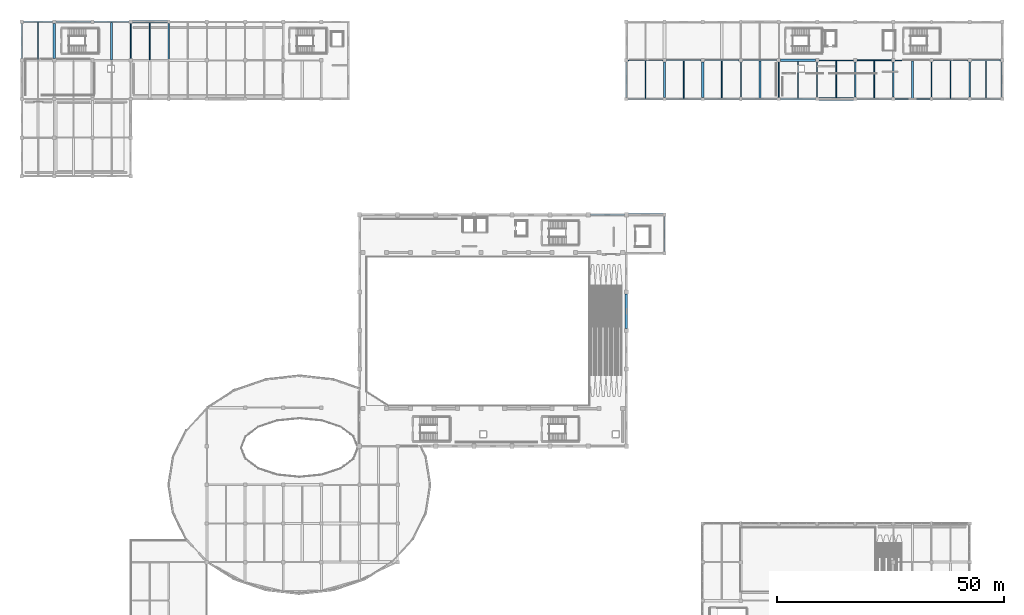
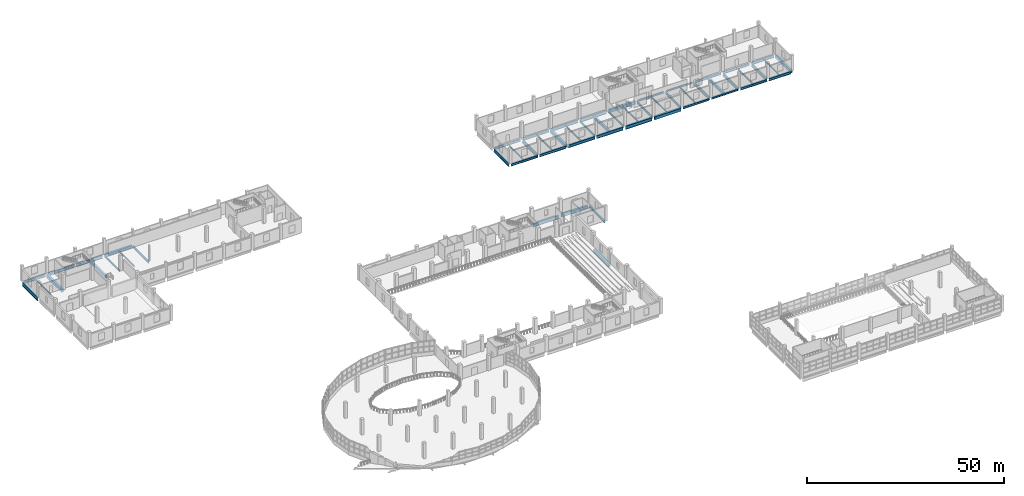
# One storey, part 48 of 77: 56 beams.
"""IFC4 building model written with IfcOpenShell, lengths in metres."""

from ifc_helpers import new_model, si_unit, direction, frame, origin, origin_2d, place, context, subcontext, project, spatial, rectangle, i_section, extrude, material, material_profile, profile_set, type_object, element, save


model = new_model("IFC4")

# Units and contexts
model_context = context("Model", 3, precision=1e-05, world=origin(), true_north=direction((0.0, 1.0)))
body_context = subcontext(model_context, "Body", "Model", "MODEL_VIEW")
ifc_project = project(units=[si_unit("LENGTHUNIT", "METRE"), si_unit("AREAUNIT", "SQUARE_METRE"), si_unit("VOLUMEUNIT", "CUBIC_METRE"), si_unit("PLANEANGLEUNIT", "RADIAN"), si_unit("MASSUNIT", "GRAM", prefix="KILO")], contexts=[model_context])

# Site, building, storey
site_placement = place(None, origin())
site = spatial("IfcSite", under=ifc_project, at=site_placement, CompositionType="ELEMENT")
building_placement = place(site_placement, origin())
building = spatial("IfcBuilding", under=site, at=building_placement, Name="Solvento Point Concert Hall", CompositionType="ELEMENT")
storey_placement = place(building_placement, frame((0.0, 0.0, 10.199951171875)))
storey = spatial("IfcBuildingStorey", under=building, at=storey_placement, Name="L02", CompositionType="ELEMENT", Elevation=10.199951171875)

# Beams
ifc_material_1 = material(Name="Concrete C35/45", Category="concrete")
ifc_material_profile_1 = material_profile(ifc_material_1, rectangle(XDim=0.47998046875, YDim=0.780029296875, at=origin_2d()), Name="RC-BM-480X780")
ifc_profile_set_1 = profile_set([ifc_material_profile_1], Name="Concrete C35/45")
beam_type_1 = type_object("IfcBeamType", Name="Beam_RC_480x780", PredefinedType="BEAM", material=ifc_profile_set_1)
for number, where, z_axis, x_axis, name in (
    (1, (19.800048828125, 127.638916015625, -0.6640625), (0.0, 1.0, 0.0), (-1.0, 0.0, 0.0), "Secondary floor joist B-74 L02"),
    (2, (162.60009765625, 119.138916015625, -0.6640625), (0.0, 1.0, 0.0), (-1.0, 0.0, 0.0), "Secondary floor joist B-74 L02"),
):
    element("IfcBeam", number, at=place(storey_placement, frame(where, z_axis=z_axis, x_axis=x_axis)), inside=storey, type_object=beam_type_1, Name=name, PredefinedType="BEAM", context=body_context, shape_type="SweptSolid", body=[
        extrude(rectangle(XDim=0.47998046875, YDim=0.780029296875, at=origin_2d()), origin(), (0.0, 0.0, 1.0), 8.195556640625),
    ])
beam_1_placement = place(storey_placement, frame((196.199951171875, 119.092041015625, -0.6640625), z_axis=(0.0, 1.0, 0.0), x_axis=(-1.0, 0.0, 0.0)))
element("IfcBeam", 3, at=beam_1_placement, inside=storey, type_object=beam_type_1, Name="Secondary floor joist B-74 L02", PredefinedType="BEAM", context=body_context, shape_type="SweptSolid", body=[
    extrude(rectangle(XDim=0.47998046875, YDim=0.780029296875, at=origin_2d()), origin(), (0.0, 0.0, 1.0), 8.294921875),
])
ifc_material_2 = material(Name="Structural Steel ASTM A992 Grade 50", Category="steel")
ifc_material_profile_2 = material_profile(ifc_material_2, i_section(OverallWidth=0.20947265625, OverallDepth=0.532958984375, WebThickness=0.01025390625, FlangeThickness=0.015625, at=origin_2d()), Name="W21X62")
ifc_profile_set_2 = profile_set([ifc_material_profile_2], Name="Structural Steel ASTM A992 Grade 50")
beam_type_2 = type_object("IfcBeamType", Name="Beam_W21X62", PredefinedType="BEAM", material=ifc_profile_set_2)
beam_2_placement = place(storey_placement, frame((154.199951171875, 119.131103515625, -0.54052734375), z_axis=(0.0, 1.0, 0.0), x_axis=(-1.0, 0.0, 0.0)))
element("IfcBeam", 4, at=beam_2_placement, inside=storey, type_object=beam_type_2, Name="Secondary floor joist B-25 L02", PredefinedType="BEAM", context=body_context, shape_type="SweptSolid", body=[
    extrude(i_section(OverallWidth=0.20947265625, OverallDepth=0.532958984375, WebThickness=0.01025390625, FlangeThickness=0.015625, at=origin_2d()), origin(), (0.0, 0.0, 1.0), 8.22998046875),
])
beam_3_placement = place(storey_placement, frame((187.800048828125, 119.09912109375, -0.54052734375), z_axis=(0.0, 1.0, 0.0), x_axis=(-1.0, 0.0, 0.0)))
element("IfcBeam", 5, at=beam_3_placement, inside=storey, type_object=beam_type_2, Name="Secondary floor joist B-25 L02", PredefinedType="BEAM", context=body_context, shape_type="SweptSolid", body=[
    extrude(i_section(OverallWidth=0.20947265625, OverallDepth=0.532958984375, WebThickness=0.01025390625, FlangeThickness=0.015625, at=origin_2d()), origin(), (0.0, 0.0, 1.0), 8.308837890625),
])
ifc_material_3 = material(Name="Structural Steel ASTM A992 Grade 50", Category="steel")
ifc_material_profile_3 = material_profile(ifc_material_3, i_section(OverallWidth=0.214111328125, OverallDepth=0.549072265625, WebThickness=0.0146484375, FlangeThickness=0.023681640625, at=origin_2d()), Name="W21X93")
ifc_profile_set_3 = profile_set([ifc_material_profile_3], Name="Structural Steel ASTM A992 Grade 50")
beam_type_3 = type_object("IfcBeamType", Name="Beam_W21X93", PredefinedType="BEAM", material=ifc_profile_set_3)
for number, where, z_axis, x_axis, name in (
    (6, (192.384033203125, 119.0, -0.54833984375), (1.0, 0.0, 0.0), (0.0, 1.0, 0.0), "Primary girder B-48 L02"),
    (7, (183.98388671875, 127.5, -0.54833984375), (1.0, 0.0, 0.0), (0.0, 1.0, 0.0), "Primary girder B-48 L02"),
):
    element("IfcBeam", number, at=place(storey_placement, frame(where, z_axis=z_axis, x_axis=x_axis)), inside=storey, type_object=beam_type_3, Name=name, PredefinedType="BEAM", context=body_context, shape_type="SweptSolid", body=[
        extrude(i_section(OverallWidth=0.214111328125, OverallDepth=0.549072265625, WebThickness=0.0146484375, FlangeThickness=0.023681640625, at=origin_2d()), origin(), (0.0, 0.0, 1.0), 7.632080078125),
    ])
beam_4_placement = place(storey_placement, frame((24.0, 127.868896484375, -0.54833984375), z_axis=(0.0, 1.0, 0.0), x_axis=(-1.0, 0.0, 0.0)))
element("IfcBeam", 8, at=beam_4_placement, inside=storey, type_object=beam_type_3, Name="Primary girder B-48 L02", PredefinedType="BEAM", context=body_context, shape_type="SweptSolid", body=[
    extrude(i_section(OverallWidth=0.214111328125, OverallDepth=0.549072265625, WebThickness=0.0146484375, FlangeThickness=0.023681640625, at=origin_2d()), origin(), (0.0, 0.0, 1.0), 7.76220703125),
])
beam_5_placement = place(storey_placement, frame((166.800048828125, 119.384033203125, -0.54833984375), z_axis=(0.0, 1.0, 0.0), x_axis=(-1.0, 0.0, 0.0)))
element("IfcBeam", 9, at=beam_5_placement, inside=storey, type_object=beam_type_3, Name="Primary girder B-48 L02", PredefinedType="BEAM", context=body_context, shape_type="SweptSolid", body=[
    extrude(i_section(OverallWidth=0.214111328125, OverallDepth=0.549072265625, WebThickness=0.0146484375, FlangeThickness=0.023681640625, at=origin_2d()), origin(), (0.0, 0.0, 1.0), 7.73193359375),
])
ifc_material_4 = material(Name="Structural Steel ASTM A992 Grade 50", Category="steel")
ifc_material_profile_4 = material_profile(ifc_material_4, i_section(OverallWidth=0.228515625, OverallDepth=0.60791015625, WebThickness=0.01123046875, FlangeThickness=0.017333984375, at=origin_2d()), Name="W24X76")
ifc_profile_set_4 = profile_set([ifc_material_profile_4], Name="Structural Steel ASTM A992 Grade 50")
beam_type_4 = type_object("IfcBeamType", Name="Beam_W24X76", PredefinedType="BEAM", material=ifc_profile_set_4)
for number, where, z_axis, x_axis, name in (
    (10, (183.98388671875, 119.0, -0.577880859375), (1.0, 0.0, 0.0), (0.0, 1.0, 0.0), "Primary girder B-42 L02"),
    (11, (175.583984375, 127.5, -0.577880859375), (1.0, 0.0, 0.0), (0.0, 1.0, 0.0), "Primary girder B-42 L02"),
):
    element("IfcBeam", number, at=place(storey_placement, frame(where, z_axis=z_axis, x_axis=x_axis)), inside=storey, type_object=beam_type_4, Name=name, PredefinedType="BEAM", context=body_context, shape_type="SweptSolid", body=[
        extrude(i_section(OverallWidth=0.228515625, OverallDepth=0.60791015625, WebThickness=0.01123046875, FlangeThickness=0.017333984375, at=origin_2d()), origin(), (0.0, 0.0, 1.0), 7.632080078125),
    ])
beam_6_placement = place(storey_placement, frame((158.39990234375, 119.39404296875, -0.577880859375), z_axis=(0.0, 1.0, 0.0), x_axis=(-1.0, 0.0, 0.0)))
element("IfcBeam", 12, at=beam_6_placement, inside=storey, type_object=beam_type_4, Name="Primary girder B-42 L02", PredefinedType="BEAM", context=body_context, shape_type="SweptSolid", body=[
    extrude(i_section(OverallWidth=0.228515625, OverallDepth=0.60791015625, WebThickness=0.01123046875, FlangeThickness=0.017333984375, at=origin_2d()), origin(), (0.0, 0.0, 1.0), 7.737060546875),
])
ifc_material_5 = material(Name="Concrete C35/45", Category="concrete")
ifc_material_profile_5 = material_profile(ifc_material_5, rectangle(XDim=0.580078125, YDim=0.919921875, at=origin_2d()), Name="RC-BM-580X920")
ifc_profile_set_5 = profile_set([ifc_material_profile_5], Name="Concrete C35/45")
beam_type_5 = type_object("IfcBeamType", Name="Girder_RC_580x920", PredefinedType="USERDEFINED", material=ifc_profile_set_5)
beam_7_placement = place(storey_placement, frame((133.64404296875, 93.5, -0.73388671875), z_axis=(1.0, 0.0, 0.0), x_axis=(0.0, 1.0, 0.0)))
element("IfcBeam", 13, at=beam_7_placement, inside=storey, type_object=beam_type_5, Name="Primary girder B-95 L02", ObjectType="GIRDER", PredefinedType="USERDEFINED", context=body_context, shape_type="SweptSolid", body=[
    extrude(rectangle(XDim=0.580078125, YDim=0.919921875, at=origin_2d()), origin(), (0.0, 0.0, 1.0), 7.5869140625),
])
beam_8_placement = place(storey_placement, frame((175.583984375, 119.0, -0.73388671875), z_axis=(1.0, 0.0, 0.0), x_axis=(0.0, 1.0, 0.0)))
element("IfcBeam", 14, at=beam_8_placement, inside=storey, type_object=beam_type_5, Name="Primary girder B-95 L02", ObjectType="GIRDER", PredefinedType="USERDEFINED", context=body_context, shape_type="SweptSolid", body=[
    extrude(rectangle(XDim=0.580078125, YDim=0.919921875, at=origin_2d()), origin(), (0.0, 0.0, 1.0), 7.632080078125),
])
beam_9_placement = place(storey_placement, frame((167.18408203125, 127.5, -0.73388671875), z_axis=(1.0, 0.0, 0.0), x_axis=(0.0, 1.0, 0.0)))
element("IfcBeam", 15, at=beam_9_placement, inside=storey, type_object=beam_type_5, Name="Primary girder B-95 L02", ObjectType="GIRDER", PredefinedType="USERDEFINED", context=body_context, shape_type="SweptSolid", body=[
    extrude(rectangle(XDim=0.580078125, YDim=0.919921875, at=origin_2d()), origin(), (0.0, 0.0, 1.0), 7.6318359375),
])
beam_10_placement = place(storey_placement, frame((24.368896484375, 136.0, -0.73388671875), z_axis=(1.0, 0.0, 0.0), x_axis=(0.0, 1.0, 0.0)))
element("IfcBeam", 16, at=beam_10_placement, inside=storey, type_object=beam_type_5, Name="Primary girder B-95 L02", ObjectType="GIRDER", PredefinedType="USERDEFINED", context=body_context, shape_type="SweptSolid", body=[
    extrude(rectangle(XDim=0.580078125, YDim=0.919921875, at=origin_2d()), origin(), (0.0, 0.0, 1.0), 7.787109375),
])
beam_11_placement = place(storey_placement, frame((7.199951171875, 127.868896484375, -0.73388671875), z_axis=(0.0, 1.0, 0.0), x_axis=(-1.0, 0.0, 0.0)))
element("IfcBeam", 17, at=beam_11_placement, inside=storey, type_object=beam_type_5, Name="Primary girder B-95 L02", ObjectType="GIRDER", PredefinedType="USERDEFINED", context=body_context, shape_type="SweptSolid", body=[
    extrude(rectangle(XDim=0.580078125, YDim=0.919921875, at=origin_2d()), origin(), (0.0, 0.0, 1.0), 7.76220703125),
])
beam_12_placement = place(storey_placement, frame((133.199951171875, 68.444091796875, -0.904052734375), z_axis=(0.0, 1.0, 0.0), x_axis=(-1.0, 0.0, 0.0)))
element("IfcBeam", 18, at=beam_12_placement, inside=storey, type_object=beam_type_5, Name="Primary girder B-95 L02", ObjectType="GIRDER", PredefinedType="USERDEFINED", context=body_context, shape_type="SweptSolid", body=[
    extrude(rectangle(XDim=0.580078125, YDim=0.919921875, at=origin_2d()), origin(), (0.0, 0.0, 1.0), 7.61181640625),
])
beam_13_placement = place(storey_placement, frame((150.0, 119.368896484375, -0.73388671875), z_axis=(0.0, 1.0, 0.0), x_axis=(-1.0, 0.0, 0.0)))
element("IfcBeam", 19, at=beam_13_placement, inside=storey, type_object=beam_type_5, Name="Primary girder B-95 L02", ObjectType="GIRDER", PredefinedType="USERDEFINED", context=body_context, shape_type="SweptSolid", body=[
    extrude(rectangle(XDim=0.580078125, YDim=0.919921875, at=origin_2d()), origin(), (0.0, 0.0, 1.0), 7.76220703125),
])
beam_14_placement = place(storey_placement, frame((216.0, 119.384033203125, -0.73388671875), z_axis=(0.0, 1.0, 0.0), x_axis=(-1.0, 0.0, 0.0)))
element("IfcBeam", 20, at=beam_14_placement, inside=storey, type_object=beam_type_5, Name="Primary girder B-95 L02", ObjectType="GIRDER", PredefinedType="USERDEFINED", context=body_context, shape_type="SweptSolid", body=[
    extrude(rectangle(XDim=0.580078125, YDim=0.919921875, at=origin_2d()), origin(), (0.0, 0.0, 1.0), 7.73193359375),
])
ifc_material_6 = material(Name="Structural Steel ASTM A992 Grade 50", Category="steel")
ifc_material_profile_6 = material_profile(ifc_material_6, i_section(OverallWidth=0.256103515625, OverallDepth=0.693115234375, WebThickness=0.014404296875, FlangeThickness=0.023681640625, at=origin_2d()), Name="W27X114")
ifc_profile_set_6 = profile_set([ifc_material_profile_6], Name="Structural Steel ASTM A992 Grade 50")
beam_type_6 = type_object("IfcBeamType", Name="Girder_W27X114", PredefinedType="USERDEFINED", material=ifc_profile_set_6)
beam_15_placement = place(storey_placement, frame((133.569091796875, 119.0, -0.620361328125), z_axis=(1.0, 0.0, 0.0), x_axis=(0.0, 1.0, 0.0)))
element("IfcBeam", 21, at=beam_15_placement, inside=storey, type_object=beam_type_6, Name="Primary girder B-23 L02", ObjectType="GIRDER", PredefinedType="USERDEFINED", context=body_context, shape_type="SweptSolid", body=[
    extrude(i_section(OverallWidth=0.256103515625, OverallDepth=0.693115234375, WebThickness=0.014404296875, FlangeThickness=0.023681640625, at=origin_2d()), origin(), (0.0, 0.0, 1.0), 7.661865234375),
])
for number, where, z_axis, x_axis, name in (
    (22, (200.783935546875, 119.0, -0.620361328125), (1.0, 0.0, 0.0), (0.0, 1.0, 0.0), "Primary girder B-23 L02"),
    (23, (192.384033203125, 127.5, -0.620361328125), (1.0, 0.0, 0.0), (0.0, 1.0, 0.0), "Primary girder B-23 L02"),
):
    element("IfcBeam", number, at=place(storey_placement, frame(where, z_axis=z_axis, x_axis=x_axis)), inside=storey, type_object=beam_type_6, Name=name, ObjectType="GIRDER", PredefinedType="USERDEFINED", context=body_context, shape_type="SweptSolid", body=[
        extrude(i_section(OverallWidth=0.256103515625, OverallDepth=0.693115234375, WebThickness=0.014404296875, FlangeThickness=0.023681640625, at=origin_2d()), origin(), (0.0, 0.0, 1.0), 7.632080078125),
    ])
beam_16_placement = place(storey_placement, frame((32.39990234375, 127.7255859375, -0.620361328125), z_axis=(0.0, 1.0, 0.0), x_axis=(-1.0, 0.0, 0.0)))
element("IfcBeam", 24, at=beam_16_placement, inside=storey, type_object=beam_type_6, Name="Primary girder B-23 L02", ObjectType="GIRDER", PredefinedType="USERDEFINED", context=body_context, shape_type="SweptSolid", body=[
    extrude(i_section(OverallWidth=0.256103515625, OverallDepth=0.693115234375, WebThickness=0.014404296875, FlangeThickness=0.023681640625, at=origin_2d()), origin(), (0.0, 0.0, 1.0), 7.88037109375),
])
beam_17_placement = place(storey_placement, frame((141.60009765625, 85.368896484375, -0.620361328125), z_axis=(0.0, 1.0, 0.0), x_axis=(-1.0, 0.0, 0.0)))
element("IfcBeam", 25, at=beam_17_placement, inside=storey, type_object=beam_type_6, Name="Primary girder B-23 L02", ObjectType="GIRDER", PredefinedType="USERDEFINED", context=body_context, shape_type="SweptSolid", body=[
    extrude(i_section(OverallWidth=0.256103515625, OverallDepth=0.693115234375, WebThickness=0.014404296875, FlangeThickness=0.023681640625, at=origin_2d()), origin(), (0.0, 0.0, 1.0), 7.76220703125),
])
beam_18_placement = place(storey_placement, frame((175.199951171875, 119.384033203125, -0.620361328125), z_axis=(0.0, 1.0, 0.0), x_axis=(-1.0, 0.0, 0.0)))
element("IfcBeam", 26, at=beam_18_placement, inside=storey, type_object=beam_type_6, Name="Primary girder B-23 L02", ObjectType="GIRDER", PredefinedType="USERDEFINED", context=body_context, shape_type="SweptSolid", body=[
    extrude(i_section(OverallWidth=0.256103515625, OverallDepth=0.693115234375, WebThickness=0.014404296875, FlangeThickness=0.023681640625, at=origin_2d()), origin(), (0.0, 0.0, 1.0), 7.73193359375),
])
ifc_material_7 = material(Name="Structural Steel ASTM A992 Grade 50", Category="steel")
ifc_material_profile_7 = material_profile(ifc_material_7, i_section(OverallWidth=0.26806640625, OverallDepth=0.77001953125, WebThickness=0.015625, FlangeThickness=0.025390625, at=origin_2d()), Name="W30X132")
ifc_profile_set_7 = profile_set([ifc_material_profile_7], Name="Structural Steel ASTM A992 Grade 50")
beam_type_7 = type_object("IfcBeamType", Name="Girder_W30X132", PredefinedType="USERDEFINED", material=ifc_profile_set_7)
beam_19_placement = place(storey_placement, frame((141.968994140625, 119.0, -0.658935546875), z_axis=(1.0, 0.0, 0.0), x_axis=(0.0, 1.0, 0.0)))
element("IfcBeam", 27, at=beam_19_placement, inside=storey, type_object=beam_type_7, Name="Primary girder B-68 L02", ObjectType="GIRDER", PredefinedType="USERDEFINED", context=body_context, shape_type="SweptSolid", body=[
    extrude(i_section(OverallWidth=0.26806640625, OverallDepth=0.77001953125, WebThickness=0.015625, FlangeThickness=0.025390625, at=origin_2d()), origin(), (0.0, 0.0, 1.0), 7.662109375),
])
beam_20_placement = place(storey_placement, frame((209.18408203125, 119.0, -0.658935546875), z_axis=(1.0, 0.0, 0.0), x_axis=(0.0, 1.0, 0.0)))
element("IfcBeam", 28, at=beam_20_placement, inside=storey, type_object=beam_type_7, Name="Primary girder B-68 L02", ObjectType="GIRDER", PredefinedType="USERDEFINED", context=body_context, shape_type="SweptSolid", body=[
    extrude(i_section(OverallWidth=0.26806640625, OverallDepth=0.77001953125, WebThickness=0.015625, FlangeThickness=0.025390625, at=origin_2d()), origin(), (0.0, 0.0, 1.0), 6.431884765625),
])
beam_21_placement = place(storey_placement, frame((133.569091796875, 127.5, -0.658935546875), z_axis=(1.0, 0.0, 0.0), x_axis=(0.0, 1.0, 0.0)))
element("IfcBeam", 29, at=beam_21_placement, inside=storey, type_object=beam_type_7, Name="Primary girder B-68 L02", ObjectType="GIRDER", PredefinedType="USERDEFINED", context=body_context, shape_type="SweptSolid", body=[
    extrude(i_section(OverallWidth=0.26806640625, OverallDepth=0.77001953125, WebThickness=0.015625, FlangeThickness=0.025390625, at=origin_2d()), origin(), (0.0, 0.0, 1.0), 7.661865234375),
])
beam_22_placement = place(storey_placement, frame((200.783935546875, 127.5, -0.658935546875), z_axis=(1.0, 0.0, 0.0), x_axis=(0.0, 1.0, 0.0)))
element("IfcBeam", 30, at=beam_22_placement, inside=storey, type_object=beam_type_7, Name="Primary girder B-68 L02", ObjectType="GIRDER", PredefinedType="USERDEFINED", context=body_context, shape_type="SweptSolid", body=[
    extrude(i_section(OverallWidth=0.26806640625, OverallDepth=0.77001953125, WebThickness=0.015625, FlangeThickness=0.025390625, at=origin_2d()), origin(), (0.0, 0.0, 1.0), 7.632080078125),
])
beam_23_placement = place(storey_placement, frame((183.60009765625, 119.384033203125, -0.658935546875), z_axis=(0.0, 1.0, 0.0), x_axis=(-1.0, 0.0, 0.0)))
element("IfcBeam", 31, at=beam_23_placement, inside=storey, type_object=beam_type_7, Name="Primary girder B-68 L02", ObjectType="GIRDER", PredefinedType="USERDEFINED", context=body_context, shape_type="SweptSolid", body=[
    extrude(i_section(OverallWidth=0.26806640625, OverallDepth=0.77001953125, WebThickness=0.015625, FlangeThickness=0.025390625, at=origin_2d()), origin(), (0.0, 0.0, 1.0), 7.73193359375),
])
ifc_material_8 = material(Name="Structural Steel ASTM A992 Grade 50", Category="steel")
ifc_material_profile_8 = material_profile(ifc_material_8, i_section(OverallWidth=0.2919921875, OverallDepth=0.85888671875, WebThickness=0.01708984375, FlangeThickness=0.031005859375, at=origin_2d()), Name="W33X169")
ifc_profile_set_8 = profile_set([ifc_material_profile_8], Name="Structural Steel ASTM A992 Grade 50")
beam_type_8 = type_object("IfcBeamType", Name="Girder_W33X169", PredefinedType="USERDEFINED", material=ifc_profile_set_8)
beam_24_placement = place(storey_placement, frame((150.368896484375, 119.0, -0.703369140625), z_axis=(1.0, 0.0, 0.0), x_axis=(0.0, 1.0, 0.0)))
element("IfcBeam", 32, at=beam_24_placement, inside=storey, type_object=beam_type_8, Name="Primary girder B-33 L02", ObjectType="GIRDER", PredefinedType="USERDEFINED", context=body_context, shape_type="SweptSolid", body=[
    extrude(i_section(OverallWidth=0.2919921875, OverallDepth=0.85888671875, WebThickness=0.01708984375, FlangeThickness=0.031005859375, at=origin_2d()), origin(), (0.0, 0.0, 1.0), 7.787109375),
])
beam_25_placement = place(storey_placement, frame((141.968994140625, 127.5, -0.703369140625), z_axis=(1.0, 0.0, 0.0), x_axis=(0.0, 1.0, 0.0)))
element("IfcBeam", 33, at=beam_25_placement, inside=storey, type_object=beam_type_8, Name="Primary girder B-33 L02", ObjectType="GIRDER", PredefinedType="USERDEFINED", context=body_context, shape_type="SweptSolid", body=[
    extrude(i_section(OverallWidth=0.2919921875, OverallDepth=0.85888671875, WebThickness=0.01708984375, FlangeThickness=0.031005859375, at=origin_2d()), origin(), (0.0, 0.0, 1.0), 7.662109375),
])
beam_26_placement = place(storey_placement, frame((209.18408203125, 127.5, -0.703369140625), z_axis=(1.0, 0.0, 0.0), x_axis=(0.0, 1.0, 0.0)))
element("IfcBeam", 34, at=beam_26_placement, inside=storey, type_object=beam_type_8, Name="Primary girder B-33 L02", ObjectType="GIRDER", PredefinedType="USERDEFINED", context=body_context, shape_type="SweptSolid", body=[
    extrude(i_section(OverallWidth=0.2919921875, OverallDepth=0.85888671875, WebThickness=0.01708984375, FlangeThickness=0.031005859375, at=origin_2d()), origin(), (0.0, 0.0, 1.0), 6.431884765625),
])
beam_27_placement = place(storey_placement, frame((0.368896484375, 136.0, -0.703369140625), z_axis=(1.0, 0.0, 0.0), x_axis=(0.0, 1.0, 0.0)))
element("IfcBeam", 35, at=beam_27_placement, inside=storey, type_object=beam_type_8, Name="Primary girder B-33 L02", ObjectType="GIRDER", PredefinedType="USERDEFINED", context=body_context, shape_type="SweptSolid", body=[
    extrude(i_section(OverallWidth=0.2919921875, OverallDepth=0.85888671875, WebThickness=0.01708984375, FlangeThickness=0.031005859375, at=origin_2d()), origin(), (0.0, 0.0, 1.0), 6.462158203125),
])
beam_28_placement = place(storey_placement, frame((192.0, 119.384033203125, -0.703369140625), z_axis=(0.0, 1.0, 0.0), x_axis=(-1.0, 0.0, 0.0)))
element("IfcBeam", 36, at=beam_28_placement, inside=storey, type_object=beam_type_8, Name="Primary girder B-33 L02", ObjectType="GIRDER", PredefinedType="USERDEFINED", context=body_context, shape_type="SweptSolid", body=[
    extrude(i_section(OverallWidth=0.2919921875, OverallDepth=0.85888671875, WebThickness=0.01708984375, FlangeThickness=0.031005859375, at=origin_2d()), origin(), (0.0, 0.0, 1.0), 7.73193359375),
])
ifc_material_9 = material(Name="Structural Steel ASTM A992 Grade 50", Category="steel")
ifc_material_profile_9 = material_profile(ifc_material_9, i_section(OverallWidth=0.3076171875, OverallDepth=0.927001953125, WebThickness=0.019287109375, FlangeThickness=0.031982421875, at=origin_2d()), Name="W36X194")
ifc_profile_set_9 = profile_set([ifc_material_profile_9], Name="Structural Steel ASTM A992 Grade 50")
beam_type_9 = type_object("IfcBeamType", Name="Girder_W36X194", PredefinedType="USERDEFINED", material=ifc_profile_set_9)
beam_29_placement = place(storey_placement, frame((158.64404296875, 119.0, -0.737548828125), z_axis=(1.0, 0.0, 0.0), x_axis=(0.0, 1.0, 0.0)))
element("IfcBeam", 37, at=beam_29_placement, inside=storey, type_object=beam_type_9, Name="Primary girder B-61 L02", ObjectType="GIRDER", PredefinedType="USERDEFINED", context=body_context, shape_type="SweptSolid", body=[
    extrude(i_section(OverallWidth=0.3076171875, OverallDepth=0.927001953125, WebThickness=0.019287109375, FlangeThickness=0.031982421875, at=origin_2d()), origin(), (0.0, 0.0, 1.0), 7.77197265625),
])
beam_30_placement = place(storey_placement, frame((150.368896484375, 127.5, -0.737548828125), z_axis=(1.0, 0.0, 0.0), x_axis=(0.0, 1.0, 0.0)))
element("IfcBeam", 38, at=beam_30_placement, inside=storey, type_object=beam_type_9, Name="Primary girder B-61 L02", ObjectType="GIRDER", PredefinedType="USERDEFINED", context=body_context, shape_type="SweptSolid", body=[
    extrude(i_section(OverallWidth=0.3076171875, OverallDepth=0.927001953125, WebThickness=0.019287109375, FlangeThickness=0.031982421875, at=origin_2d()), origin(), (0.0, 0.0, 1.0), 7.662109375),
])
beam_31_placement = place(storey_placement, frame((7.569091796875, 136.0, -0.737548828125), z_axis=(1.0, 0.0, 0.0), x_axis=(0.0, 1.0, 0.0)))
element("IfcBeam", 39, at=beam_31_placement, inside=storey, type_object=beam_type_9, Name="Primary girder B-61 L02", ObjectType="GIRDER", PredefinedType="USERDEFINED", context=body_context, shape_type="SweptSolid", body=[
    extrude(i_section(OverallWidth=0.3076171875, OverallDepth=0.927001953125, WebThickness=0.019287109375, FlangeThickness=0.031982421875, at=origin_2d()), origin(), (0.0, 0.0, 1.0), 7.661865234375),
])
beam_32_placement = place(storey_placement, frame((133.199951171875, 119.368896484375, -0.737548828125), z_axis=(0.0, 1.0, 0.0), x_axis=(-1.0, 0.0, 0.0)))
element("IfcBeam", 40, at=beam_32_placement, inside=storey, type_object=beam_type_9, Name="Primary girder B-61 L02", ObjectType="GIRDER", PredefinedType="USERDEFINED", context=body_context, shape_type="SweptSolid", body=[
    extrude(i_section(OverallWidth=0.3076171875, OverallDepth=0.927001953125, WebThickness=0.019287109375, FlangeThickness=0.031982421875, at=origin_2d()), origin(), (0.0, 0.0, 1.0), 7.76220703125),
])
beam_33_placement = place(storey_placement, frame((200.39990234375, 119.384033203125, -0.737548828125), z_axis=(0.0, 1.0, 0.0), x_axis=(-1.0, 0.0, 0.0)))
element("IfcBeam", 41, at=beam_33_placement, inside=storey, type_object=beam_type_9, Name="Primary girder B-61 L02", ObjectType="GIRDER", PredefinedType="USERDEFINED", context=body_context, shape_type="SweptSolid", body=[
    extrude(i_section(OverallWidth=0.3076171875, OverallDepth=0.927001953125, WebThickness=0.019287109375, FlangeThickness=0.031982421875, at=origin_2d()), origin(), (0.0, 0.0, 1.0), 7.73193359375),
])
ifc_material_10 = material(Name="Structural Steel ASTM A992 Grade 50", Category="steel")
ifc_material_profile_10 = material_profile(ifc_material_10, i_section(OverallWidth=0.361083984375, OverallDepth=1.02587890625, WebThickness=0.01904296875, FlangeThickness=0.0361328125, at=origin_2d()), Name="W40X249")
ifc_profile_set_10 = profile_set([ifc_material_profile_10], Name="Structural Steel ASTM A992 Grade 50")
beam_type_10 = type_object("IfcBeamType", Name="Girder_W40X249", PredefinedType="USERDEFINED", material=ifc_profile_set_10)
beam_34_placement = place(storey_placement, frame((125.243896484375, 93.5, -0.95703125), z_axis=(1.0, 0.0, 0.0), x_axis=(0.0, 1.0, 0.0)))
element("IfcBeam", 42, at=beam_34_placement, inside=storey, type_object=beam_type_10, Name="Primary girder B-29 L02", ObjectType="GIRDER", PredefinedType="USERDEFINED", context=body_context, shape_type="SweptSolid", body=[
    extrude(i_section(OverallWidth=0.361083984375, OverallDepth=1.02587890625, WebThickness=0.01904296875, FlangeThickness=0.0361328125, at=origin_2d()), origin(), (0.0, 0.0, 1.0), 7.51220703125),
])
beam_35_placement = place(storey_placement, frame((167.18408203125, 119.0, -0.786865234375), z_axis=(1.0, 0.0, 0.0), x_axis=(0.0, 1.0, 0.0)))
element("IfcBeam", 43, at=beam_35_placement, inside=storey, type_object=beam_type_10, Name="Primary girder B-29 L02", ObjectType="GIRDER", PredefinedType="USERDEFINED", context=body_context, shape_type="SweptSolid", body=[
    extrude(i_section(OverallWidth=0.361083984375, OverallDepth=1.02587890625, WebThickness=0.01904296875, FlangeThickness=0.0361328125, at=origin_2d()), origin(), (0.0, 0.0, 1.0), 7.6318359375),
])
beam_36_placement = place(storey_placement, frame((158.76904296875, 127.5, -0.786865234375), z_axis=(1.0, 0.0, 0.0), x_axis=(0.0, 1.0, 0.0)))
element("IfcBeam", 44, at=beam_36_placement, inside=storey, type_object=beam_type_10, Name="Primary girder B-29 L02", ObjectType="GIRDER", PredefinedType="USERDEFINED", context=body_context, shape_type="SweptSolid", body=[
    extrude(i_section(OverallWidth=0.361083984375, OverallDepth=1.02587890625, WebThickness=0.01904296875, FlangeThickness=0.0361328125, at=origin_2d()), origin(), (0.0, 0.0, 1.0), 7.64697265625),
])
beam_37_placement = place(storey_placement, frame((15.968994140625, 136.0, -0.786865234375), z_axis=(1.0, 0.0, 0.0), x_axis=(0.0, 1.0, 0.0)))
element("IfcBeam", 45, at=beam_37_placement, inside=storey, type_object=beam_type_10, Name="Primary girder B-29 L02", ObjectType="GIRDER", PredefinedType="USERDEFINED", context=body_context, shape_type="SweptSolid", body=[
    extrude(i_section(OverallWidth=0.361083984375, OverallDepth=1.02587890625, WebThickness=0.01904296875, FlangeThickness=0.0361328125, at=origin_2d()), origin(), (0.0, 0.0, 1.0), 7.662109375),
])
for number, where, z_axis, x_axis, name in (
    (46, (0.0, 127.868896484375, -0.786865234375), (0.0, 1.0, 0.0), (-1.0, 0.0, 0.0), "Primary girder B-29 L02"),
    (47, (141.60009765625, 119.368896484375, -0.786865234375), (0.0, 1.0, 0.0), (-1.0, 0.0, 0.0), "Primary girder B-29 L02"),
):
    element("IfcBeam", number, at=place(storey_placement, frame(where, z_axis=z_axis, x_axis=x_axis)), inside=storey, type_object=beam_type_10, Name=name, ObjectType="GIRDER", PredefinedType="USERDEFINED", context=body_context, shape_type="SweptSolid", body=[
        extrude(i_section(OverallWidth=0.361083984375, OverallDepth=1.02587890625, WebThickness=0.01904296875, FlangeThickness=0.0361328125, at=origin_2d()), origin(), (0.0, 0.0, 1.0), 7.76220703125),
    ])
beam_38_placement = place(storey_placement, frame((208.800048828125, 119.384033203125, -0.786865234375), z_axis=(0.0, 1.0, 0.0), x_axis=(-1.0, 0.0, 0.0)))
element("IfcBeam", 48, at=beam_38_placement, inside=storey, type_object=beam_type_10, Name="Primary girder B-29 L02", ObjectType="GIRDER", PredefinedType="USERDEFINED", context=body_context, shape_type="SweptSolid", body=[
    extrude(i_section(OverallWidth=0.361083984375, OverallDepth=1.02587890625, WebThickness=0.01904296875, FlangeThickness=0.0361328125, at=origin_2d()), origin(), (0.0, 0.0, 1.0), 7.73193359375),
])
ifc_material_11 = material(Name="Structural Steel ASTM A992 Grade 50", Category="steel")
ifc_material_profile_11 = material_profile(ifc_material_11, i_section(OverallWidth=0.177490234375, OverallDepth=0.403076171875, WebThickness=0.007568359375, FlangeThickness=0.010986328125, at=origin_2d()), Name="W16X36")
ifc_profile_set_11 = profile_set([ifc_material_profile_11], Name="Structural Steel ASTM A992 Grade 50")
beam_type_11 = type_object("IfcBeamType", Name="Joist_W16X36", PredefinedType="JOIST", material=ifc_profile_set_11)
for number, where, z_axis, x_axis, name in (
    (49, (3.60009765625, 127.618896484375, -0.475341796875), (0.0, 1.0, 0.0), (-1.0, 0.0, 0.0), "Secondary floor joist B-30 L02"),
    (50, (145.800048828125, 119.118896484375, -0.475341796875), (0.0, 1.0, 0.0), (-1.0, 0.0, 0.0), "Secondary floor joist B-30 L02"),
):
    element("IfcBeam", number, at=place(storey_placement, frame(where, z_axis=z_axis, x_axis=x_axis)), inside=storey, type_object=beam_type_11, Name=name, PredefinedType="JOIST", context=body_context, shape_type="SweptSolid", body=[
        extrude(i_section(OverallWidth=0.177490234375, OverallDepth=0.403076171875, WebThickness=0.007568359375, FlangeThickness=0.010986328125, at=origin_2d()), origin(), (0.0, 0.0, 1.0), 8.25),
    ])
beam_39_placement = place(storey_placement, frame((179.39990234375, 119.27490234375, -0.475341796875), z_axis=(0.0, 1.0, 0.0), x_axis=(-1.0, 0.0, 0.0)))
element("IfcBeam", 51, at=beam_39_placement, inside=storey, type_object=beam_type_11, Name="Secondary floor joist B-30 L02", PredefinedType="JOIST", context=body_context, shape_type="SweptSolid", body=[
    extrude(i_section(OverallWidth=0.177490234375, OverallDepth=0.403076171875, WebThickness=0.007568359375, FlangeThickness=0.010986328125, at=origin_2d()), origin(), (0.0, 0.0, 1.0), 8.1259765625),
])
beam_40_placement = place(storey_placement, frame((212.39990234375, 119.118896484375, -0.475341796875), z_axis=(0.0, 1.0, 0.0), x_axis=(-1.0, 0.0, 0.0)))
element("IfcBeam", 52, at=beam_40_placement, inside=storey, type_object=beam_type_11, Name="Secondary floor joist B-30 L02", PredefinedType="JOIST", context=body_context, shape_type="SweptSolid", body=[
    extrude(i_section(OverallWidth=0.177490234375, OverallDepth=0.403076171875, WebThickness=0.007568359375, FlangeThickness=0.010986328125, at=origin_2d()), origin(), (0.0, 0.0, 1.0), 8.25),
])
ifc_material_12 = material(Name="Structural Steel ASTM A992 Grade 50", Category="steel")
ifc_material_profile_12 = material_profile(ifc_material_12, i_section(OverallWidth=0.1904296875, OverallDepth=0.45703125, WebThickness=0.009033203125, FlangeThickness=0.014404296875, at=origin_2d()), Name="W18X50")
ifc_profile_set_12 = profile_set([ifc_material_profile_12], Name="Structural Steel ASTM A992 Grade 50")
beam_type_12 = type_object("IfcBeamType", Name="Joist_W18X50", PredefinedType="JOIST", material=ifc_profile_set_12)
beam_41_placement = place(storey_placement, frame((28.199951171875, 127.66552734375, -0.50244140625), z_axis=(0.0, 1.0, 0.0), x_axis=(-1.0, 0.0, 0.0)))
element("IfcBeam", 53, at=beam_41_placement, inside=storey, type_object=beam_type_12, Name="Secondary floor joist B-66 L02", PredefinedType="JOIST", context=body_context, shape_type="SweptSolid", body=[
    extrude(i_section(OverallWidth=0.1904296875, OverallDepth=0.45703125, WebThickness=0.009033203125, FlangeThickness=0.014404296875, at=origin_2d()), origin(), (0.0, 0.0, 1.0), 8.0595703125),
])
beam_42_placement = place(storey_placement, frame((137.39990234375, 119.113037109375, -0.50244140625), z_axis=(0.0, 1.0, 0.0), x_axis=(-1.0, 0.0, 0.0)))
element("IfcBeam", 54, at=beam_42_placement, inside=storey, type_object=beam_type_12, Name="Secondary floor joist B-66 L02", PredefinedType="JOIST", context=body_context, shape_type="SweptSolid", body=[
    extrude(i_section(OverallWidth=0.1904296875, OverallDepth=0.45703125, WebThickness=0.009033203125, FlangeThickness=0.014404296875, at=origin_2d()), origin(), (0.0, 0.0, 1.0), 8.26806640625),
])
beam_43_placement = place(storey_placement, frame((171.0, 119.16552734375, -0.50244140625), z_axis=(0.0, 1.0, 0.0), x_axis=(-1.0, 0.0, 0.0)))
element("IfcBeam", 55, at=beam_43_placement, inside=storey, type_object=beam_type_12, Name="Secondary floor joist B-66 L02", PredefinedType="JOIST", context=body_context, shape_type="SweptSolid", body=[
    extrude(i_section(OverallWidth=0.1904296875, OverallDepth=0.45703125, WebThickness=0.009033203125, FlangeThickness=0.014404296875, at=origin_2d()), origin(), (0.0, 0.0, 1.0), 8.0595703125),
])
beam_44_placement = place(storey_placement, frame((204.60009765625, 119.113037109375, -0.50244140625), z_axis=(0.0, 1.0, 0.0), x_axis=(-1.0, 0.0, 0.0)))
element("IfcBeam", 56, at=beam_44_placement, inside=storey, type_object=beam_type_12, Name="Secondary floor joist B-66 L02", PredefinedType="JOIST", context=body_context, shape_type="SweptSolid", body=[
    extrude(i_section(OverallWidth=0.1904296875, OverallDepth=0.45703125, WebThickness=0.009033203125, FlangeThickness=0.014404296875, at=origin_2d()), origin(), (0.0, 0.0, 1.0), 8.26806640625),
])

save(model, "model.ifc")
